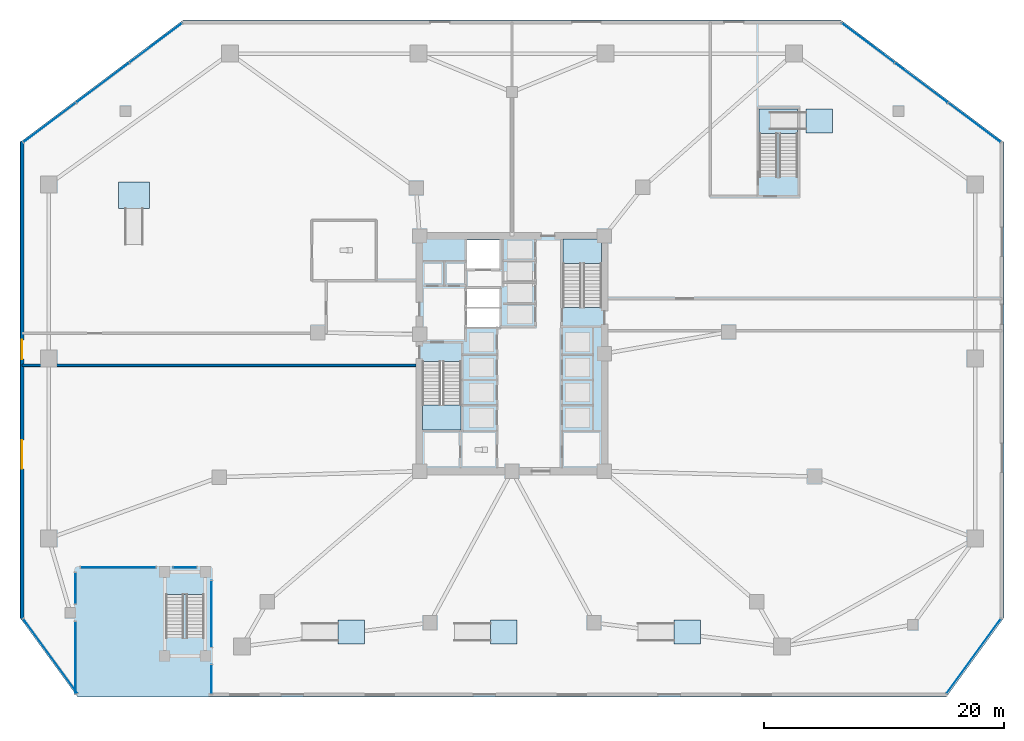
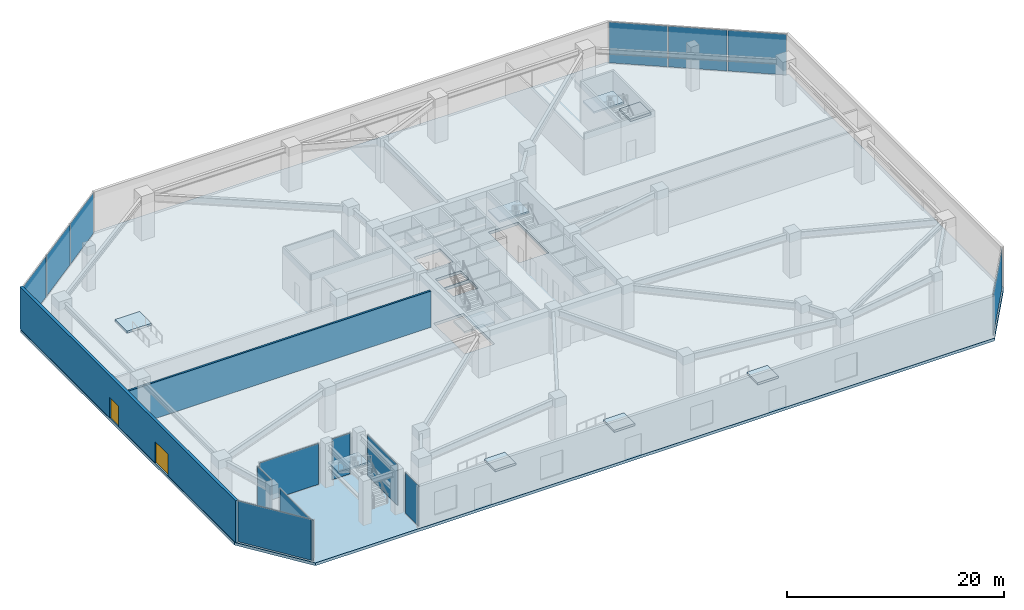
# One storey, part 8 of 22: 14 plates, 10 slabs, 2 doors, 2 walls, 2 openings, 14 elements without a shape of their own.
"""IFC4 building model written with IfcOpenShell, lengths in metres."""

from ifc_helpers import new_model, si_unit, direction, frame, frame_2d, origin, origin_2d, place, context, subcontext, project, spatial, polyline, rectangle, outline, extrude, material, layer, layer_set, type_object, element, fill, aggregate, save


model = new_model("IFC4")

# Units and contexts
model_context = context("Model", 3, precision=1e-05, world=origin(), true_north=direction((0.0, 1.0)))
body_context = subcontext(model_context, "Body", "Model", "MODEL_VIEW")
ifc_project = project(units=[si_unit("LENGTHUNIT", "METRE"), si_unit("AREAUNIT", "SQUARE_METRE"), si_unit("VOLUMEUNIT", "CUBIC_METRE"), si_unit("PLANEANGLEUNIT", "RADIAN"), si_unit("MASSUNIT", "GRAM", prefix="KILO")], contexts=[model_context])

# Site, building, storey
site_placement = place(None, origin())
site = spatial("IfcSite", under=ifc_project, at=site_placement, CompositionType="ELEMENT")
building_placement = place(site_placement, origin())
building = spatial("IfcBuilding", under=site, at=building_placement, Name="Savorim Split Tower", CompositionType="ELEMENT")
storey_placement = place(building_placement, origin())
storey = spatial("IfcBuildingStorey", under=building, at=storey_placement, Name="L00", CompositionType="ELEMENT", Elevation=0.0)

# Curtain wall, plate
ifc_material_1 = material(Name="Dark Ceramic-Fritted Insulated Glass", Category="glass")
curtain_wall_type = type_object("IfcCurtainWallType", Name="CW-POD-GLZ", PredefinedType="NOTDEFINED", material=ifc_material_1)
curtain_wall_1_placement = place(storey_placement, origin())
curtain_wall_1 = element("IfcCurtainWall", 1, at=curtain_wall_1_placement, inside=storey, type_object=curtain_wall_type, Name="L00 Curtain Wall CW-L00-E01S1", PredefinedType="NOTDEFINED")
ifc_material_2 = material(Name="Low-E Operable Double Glazing", Category="glass")
ifc_layer_1 = layer(ifc_material_2, 0.031982421875)
ifc_layer_set_1 = layer_set([ifc_layer_1], Name="CWP-POD-32")
plate_type = type_object("IfcPlateType", Name="CWP-POD-32", PredefinedType="CURTAIN_PANEL", material=ifc_layer_set_1)
plate_1_placement = place(storey_placement, frame((-36.360107421875, -24.945068359375, 0.06005859375), z_axis=(0.0, 0.0, 1.0), x_axis=(0.0, 1.0, 0.0)))
plate_1 = element("IfcPlate", 2, at=plate_1_placement, type_object=plate_type, Name="CW-01 panel 1.1", PredefinedType="CURTAIN_PANEL", context=body_context, shape_type="SweptSolid", body=[
    extrude(rectangle(XDim=6.010009765625, YDim=0.031982421875, at=origin_2d()), origin(), (0.0, 0.0, 1.0), 4.60009765625),
])
aggregate(curtain_wall_1, [plate_1])

curtain_wall_2_placement = place(storey_placement, origin())
curtain_wall_2 = element("IfcCurtainWall", 3, at=curtain_wall_2_placement, inside=storey, type_object=curtain_wall_type, Name="L00 Curtain Wall CW-L00-E01S2", PredefinedType="NOTDEFINED")
plate_2_placement = place(storey_placement, frame((-36.360107421875, -19.155029296875, 0.06005859375), z_axis=(0.0, 0.0, 1.0), x_axis=(0.0, 1.0, 0.0)))
plate_2 = element("IfcPlate", 4, at=plate_2_placement, type_object=plate_type, Name="CW-01 panel 1.1", PredefinedType="CURTAIN_PANEL", context=body_context, shape_type="SweptSolid", body=[
    extrude(rectangle(XDim=2.610107421875, YDim=0.031982421875, at=origin_2d()), origin(), (0.0, 0.0, 1.0), 4.60009765625),
])
aggregate(curtain_wall_2, [plate_2])

curtain_wall_3_placement = place(storey_placement, origin())
curtain_wall_3 = element("IfcCurtainWall", 5, at=curtain_wall_3_placement, inside=storey, type_object=curtain_wall_type, Name="L00 Curtain Wall CW-L00-E02S1", PredefinedType="NOTDEFINED")
plate_3_placement = place(storey_placement, frame((-32.820068359375, -17.43994140625, 0.06005859375), z_axis=(0.0, 0.0, 1.0), x_axis=(1.0, 0.0, 0.0)))
plate_3 = element("IfcPlate", 6, at=plate_3_placement, type_object=plate_type, Name="CW-01 panel 1.1", PredefinedType="CURTAIN_PANEL", context=body_context, shape_type="SweptSolid", body=[
    extrude(rectangle(XDim=6.260009765625, YDim=0.031982421875, at=origin_2d()), origin(), (0.0, 0.0, 1.0), 4.60009765625),
])
aggregate(curtain_wall_3, [plate_3])

curtain_wall_4_placement = place(storey_placement, origin())
curtain_wall_4 = element("IfcCurtainWall", 7, at=curtain_wall_4_placement, inside=storey, type_object=curtain_wall_type, Name="L00 Curtain Wall CW-L00-E02S2", PredefinedType="NOTDEFINED")
plate_4_placement = place(storey_placement, frame((-27.25, -17.43994140625, 0.06005859375), z_axis=(0.0, 0.0, 1.0), x_axis=(1.0, 0.0, 0.0)))
plate_4 = element("IfcPlate", 8, at=plate_4_placement, type_object=plate_type, Name="CW-01 panel 1.1", PredefinedType="CURTAIN_PANEL", context=body_context, shape_type="SweptSolid", body=[
    extrude(rectangle(XDim=1.919921875, YDim=0.031982421875, at=origin_2d()), origin(), (0.0, 0.0, 1.0), 4.60009765625),
])
aggregate(curtain_wall_4, [plate_4])

curtain_wall_5_placement = place(storey_placement, origin())
curtain_wall_5 = element("IfcCurtainWall", 9, at=curtain_wall_5_placement, inside=storey, type_object=curtain_wall_type, Name="L00 Curtain Wall CW-L00-E03S1", PredefinedType="NOTDEFINED")
plate_5_placement = place(storey_placement, frame((-25.0400390625, -21.300048828125, 0.06005859375), z_axis=(0.0, 0.0, 1.0), x_axis=(0.0, -1.0, 0.0)))
plate_5 = element("IfcPlate", 10, at=plate_5_placement, type_object=plate_type, Name="CW-01 panel 1.1", PredefinedType="CURTAIN_PANEL", context=body_context, shape_type="SweptSolid", body=[
    extrude(rectangle(XDim=5.52001953125, YDim=0.031982421875, at=origin_2d()), origin(), (0.0, 0.0, 1.0), 4.60009765625),
])
aggregate(curtain_wall_5, [plate_5])

curtain_wall_6_placement = place(storey_placement, origin())
curtain_wall_6 = element("IfcCurtainWall", 11, at=curtain_wall_6_placement, inside=storey, type_object=curtain_wall_type, Name="L00 Curtain Wall CW-L00-E03S2", PredefinedType="NOTDEFINED")
plate_6_placement = place(storey_placement, frame((-25.0400390625, -26.7451171875, 0.06005859375), z_axis=(0.0, 0.0, 1.0), x_axis=(0.0, -1.0, 0.0)))
plate_6 = element("IfcPlate", 12, at=plate_6_placement, type_object=plate_type, Name="CW-01 panel 1.1", PredefinedType="CURTAIN_PANEL", context=body_context, shape_type="SweptSolid", body=[
    extrude(rectangle(XDim=2.409912109375, YDim=0.031982421875, at=origin_2d()), origin(), (0.0, 0.0, 1.0), 4.60009765625),
])
aggregate(curtain_wall_6, [plate_6])

curtain_wall_7_placement = place(storey_placement, origin())
curtain_wall_7 = element("IfcCurtainWall", 13, at=curtain_wall_7_placement, inside=storey, type_object=curtain_wall_type, Name="L00 Curtain Wall CW-L00-E05", PredefinedType="NOTDEFINED")
plate_7_placement = place(storey_placement, frame((38.470703125, -24.805908203125, 0.06005859375), z_axis=(0.0, 0.0, 1.0), x_axis=(0.588170173227, 0.808737192991, 0.0)))
plate_7 = element("IfcPlate", 14, at=plate_7_placement, type_object=plate_type, Name="CW-01 panel 1.1", PredefinedType="CURTAIN_PANEL", context=body_context, shape_type="SweptSolid", body=[
    extrude(rectangle(XDim=7.660888671875, YDim=0.031982421875, at=origin_2d()), origin(), (0.0, 0.0, 1.0), 4.60009765625),
])
aggregate(curtain_wall_7, [plate_7])

# Curtain wall, plates
curtain_wall_8_placement = place(storey_placement, origin())
curtain_wall_8 = element("IfcCurtainWall", 15, at=curtain_wall_8_placement, inside=storey, type_object=curtain_wall_type, Name="L00 Curtain Wall CW-L00-E07", PredefinedType="NOTDEFINED")
plate_8_placement = place(storey_placement, frame((38.52734375, 19.654541015625, 0.06005859375), z_axis=(0.0, 0.0, 1.0), x_axis=(-0.799999999998, 0.600000000002, 0.0)))
plate_8 = element("IfcPlate", 16, at=plate_8_placement, type_object=plate_type, Name="CW-01 panel 1.1", PredefinedType="CURTAIN_PANEL", context=body_context, shape_type="SweptSolid", body=[
    extrude(rectangle(XDim=5.441650390625, YDim=0.031982421875, at=origin_2d()), origin(), (0.0, 0.0, 1.0), 4.60009765625),
])
plate_9_placement = place(storey_placement, frame((34.10400390625, 22.971923828125, 0.06005859375), z_axis=(0.0, 0.0, 1.0), x_axis=(-0.799999999998, 0.600000000002, 0.0)))
plate_9 = element("IfcPlate", 17, at=plate_9_placement, type_object=plate_type, Name="CW-01 panel 2.1", PredefinedType="CURTAIN_PANEL", context=body_context, shape_type="SweptSolid", body=[
    extrude(rectangle(XDim=5.4765625, YDim=0.031982421875, at=origin_2d()), origin(), (0.0, 0.0, 1.0), 4.60009765625),
])
plate_10_placement = place(storey_placement, frame((29.6806640625, 26.28955078125, 0.06005859375), z_axis=(0.0, 0.0, 1.0), x_axis=(-0.799999999998, 0.600000000002, 0.0)))
plate_10 = element("IfcPlate", 18, at=plate_10_placement, type_object=plate_type, Name="CW-01 panel 3.1", PredefinedType="CURTAIN_PANEL", context=body_context, shape_type="SweptSolid", body=[
    extrude(rectangle(XDim=5.441650390625, YDim=0.031982421875, at=origin_2d()), origin(), (0.0, 0.0, 1.0), 4.60009765625),
])
aggregate(curtain_wall_8, [plate_8, plate_9, plate_10])

curtain_wall_9_placement = place(storey_placement, origin())
curtain_wall_9 = element("IfcCurtainWall", 19, at=curtain_wall_9_placement, inside=storey, type_object=curtain_wall_type, Name="L00 Curtain Wall CW-L00-E09", PredefinedType="NOTDEFINED")
plate_11_placement = place(storey_placement, frame((-29.6806640625, 26.28955078125, 0.06005859375), z_axis=(0.0, 0.0, 1.0), x_axis=(-0.799999999998, -0.600000000002, 0.0)))
plate_11 = element("IfcPlate", 20, at=plate_11_placement, type_object=plate_type, Name="CW-01 panel 1.1", PredefinedType="CURTAIN_PANEL", context=body_context, shape_type="SweptSolid", body=[
    extrude(rectangle(XDim=5.441650390625, YDim=0.031982421875, at=origin_2d()), origin(), (0.0, 0.0, 1.0), 4.60009765625),
])
plate_12_placement = place(storey_placement, frame((-34.10400390625, 22.971923828125, 0.06005859375), z_axis=(0.0, 0.0, 1.0), x_axis=(-0.799999999998, -0.600000000002, 0.0)))
plate_12 = element("IfcPlate", 21, at=plate_12_placement, type_object=plate_type, Name="CW-01 panel 2.1", PredefinedType="CURTAIN_PANEL", context=body_context, shape_type="SweptSolid", body=[
    extrude(rectangle(XDim=5.4765625, YDim=0.031982421875, at=origin_2d()), origin(), (0.0, 0.0, 1.0), 4.60009765625),
])
plate_13_placement = place(storey_placement, frame((-38.52734375, 19.654541015625, 0.06005859375), z_axis=(0.0, 0.0, 1.0), x_axis=(-0.799999999998, -0.600000000002, 0.0)))
plate_13 = element("IfcPlate", 22, at=plate_13_placement, type_object=plate_type, Name="CW-01 panel 3.1", PredefinedType="CURTAIN_PANEL", context=body_context, shape_type="SweptSolid", body=[
    extrude(rectangle(XDim=5.441650390625, YDim=0.031982421875, at=origin_2d()), origin(), (0.0, 0.0, 1.0), 4.60009765625),
])
aggregate(curtain_wall_9, [plate_11, plate_12, plate_13])

# Curtain wall, plate
curtain_wall_10_placement = place(storey_placement, origin())
curtain_wall_10 = element("IfcCurtainWall", 23, at=curtain_wall_10_placement, inside=storey, type_object=curtain_wall_type, Name="L00 Curtain Wall CW-L00-E11", PredefinedType="NOTDEFINED")
plate_14_placement = place(storey_placement, frame((-38.470703125, -24.805908203125, 0.06005859375), z_axis=(0.0, 0.0, 1.0), x_axis=(0.588170173227, -0.808737192991, 0.0)))
plate_14 = element("IfcPlate", 24, at=plate_14_placement, type_object=plate_type, Name="CW-01 panel 1.1", PredefinedType="CURTAIN_PANEL", context=body_context, shape_type="SweptSolid", body=[
    extrude(rectangle(XDim=7.660888671875, YDim=0.031982421875, at=origin_2d()), origin(), (0.0, 0.0, 1.0), 4.60009765625),
])
aggregate(curtain_wall_10, [plate_14])

# Stair, slab
ifc_material_3 = material(Name="Concrete C50/60", Category="concrete")
stair_type = type_object("IfcStairType", Name="STR-DOG-5000", PredefinedType="HALF_TURN_STAIR", material=ifc_material_3)
stair_1_placement = place(storey_placement, origin())
stair_1 = element("IfcStair", 25, at=stair_1_placement, inside=storey, type_object=stair_type, Name="L00 Core Protected Exit Stair ST-1", PredefinedType="HALF_TURN_STAIR")
ifc_layer_2 = layer(ifc_material_3, 0.199951171875)
ifc_layer_set_2 = layer_set([ifc_layer_2], Name="SLB-LND-200")
slab_type_1 = type_object("IfcSlabType", Name="SLB-LND-200", PredefinedType="LANDING", material=ifc_layer_set_2)
slab_1_placement = place(storey_placement, frame((0.0, 0.0, 2.300048828125)))
slab_1 = element("IfcSlab", 26, at=slab_1_placement, type_object=slab_type_1, Name="ST-1 landing 1", PredefinedType="LANDING", context=body_context, shape_type="SweptSolid", body=[
    extrude(outline(polyline([(-7.449951171875, -3.889892578125), (-7.449951171875, -5.949951171875), (-4.25, -5.949951171875), (-4.25, -3.889892578125), (-7.449951171875, -3.889892578125)])), origin(), (0.0, 0.0, 1.0), 0.199951171875),
])
aggregate(stair_1, [slab_1])

stair_2_placement = place(storey_placement, origin())
stair_2 = element("IfcStair", 27, at=stair_2_placement, inside=storey, type_object=stair_type, Name="L00 Core Protected Exit Stair ST-2", PredefinedType="HALF_TURN_STAIR")
slab_2_placement = place(storey_placement, frame((0.0, 0.0, 2.300048828125)))
slab_2 = element("IfcSlab", 28, at=slab_2_placement, type_object=slab_type_1, Name="ST-2 landing 1", PredefinedType="LANDING", context=body_context, shape_type="SweptSolid", body=[
    extrude(outline(polyline([(7.449951171875, 7.889892578125), (7.449951171875, 9.949951171875), (4.25, 9.949951171875), (4.25, 7.889892578125), (7.449951171875, 7.889892578125)])), origin(), (0.0, 0.0, 1.0), 0.199951171875),
])
aggregate(stair_2, [slab_2])

stair_3_placement = place(storey_placement, origin())
stair_3 = element("IfcStair", 29, at=stair_3_placement, inside=storey, type_object=stair_type, Name="L00 Podium Protected Garden Exit Stair ST-3", PredefinedType="HALF_TURN_STAIR")
slab_3_placement = place(storey_placement, frame((0.0, 0.0, 2.300048828125)))
slab_3 = element("IfcSlab", 30, at=slab_3_placement, type_object=slab_type_1, Name="ST-3 landing 1", PredefinedType="LANDING", context=body_context, shape_type="SweptSolid", body=[
    extrude(outline(polyline([(23.800048828125, 18.739990234375), (23.800048828125, 20.800048828125), (20.60009765625, 20.800048828125), (20.60009765625, 18.739990234375), (23.800048828125, 18.739990234375)])), origin(), (0.0, 0.0, 1.0), 0.199951171875),
])
aggregate(stair_3, [slab_3])

stair_4_placement = place(storey_placement, origin())
stair_4 = element("IfcStair", 31, at=stair_4_placement, inside=storey, type_object=stair_type, Name="L00 Exterior Stepped Public Garden Stair ST-GDN", PredefinedType="HALF_TURN_STAIR")
slab_4_placement = place(storey_placement, frame((0.0, 0.0, 2.300048828125)))
slab_4 = element("IfcSlab", 32, at=slab_4_placement, type_object=slab_type_1, Name="ST-GDN landing 1", PredefinedType="LANDING", context=body_context, shape_type="SweptSolid", body=[
    extrude(outline(polyline([(-25.64990234375, -19.659912109375), (-25.64990234375, -17.800048828125), (-28.85009765625, -17.800048828125), (-28.85009765625, -19.659912109375), (-25.64990234375, -19.659912109375)])), origin(), (0.0, 0.0, 1.0), 0.199951171875),
])
aggregate(stair_4, [slab_4])

# Slabs
ifc_layer_3 = layer(ifc_material_3, 0.280029296875)
ifc_layer_set_3 = layer_set([ifc_layer_3], Name="SLB-POD-280")
slab_type_2 = type_object("IfcSlabType", Name="SLB-POD-280", PredefinedType="FLOOR", material=ifc_layer_set_3)
slab_5_placement = place(storey_placement, origin())
element("IfcSlab", 33, at=slab_5_placement, inside=storey, type_object=slab_type_2, Name="L00 South West Colonnade Arrival Ramp Arrival Plinth Slab", PredefinedType="FLOOR", context=body_context, shape_type="SweptSolid", body=[
    extrude(outline(polyline([(-14.5, -23.800048828125), (-12.300048828125, -23.800048828125), (-12.300048828125, -21.800048828125), (-14.5, -21.800048828125), (-14.5, -23.800048828125)])), origin(), (0.0, 0.0, 1.0), 0.239990234375),
])
slab_6_placement = place(storey_placement, origin())
element("IfcSlab", 34, at=slab_6_placement, inside=storey, type_object=slab_type_2, Name="L00 Main Entrance Colonnade Arrival Ramp Arrival Plinth Slab", PredefinedType="FLOOR", context=body_context, shape_type="SweptSolid", body=[
    extrude(outline(polyline([(-1.800048828125, -23.800048828125), (0.39990234375, -23.800048828125), (0.39990234375, -21.800048828125), (-1.800048828125, -21.800048828125), (-1.800048828125, -23.800048828125)])), origin(), (0.0, 0.0, 1.0), 0.239990234375),
])
slab_7_placement = place(storey_placement, origin())
element("IfcSlab", 35, at=slab_7_placement, inside=storey, type_object=slab_type_2, Name="L00 Concourse East Arrival Ramp Arrival Plinth Slab", PredefinedType="FLOOR", context=body_context, shape_type="SweptSolid", body=[
    extrude(outline(polyline([(13.5, -23.800048828125), (15.699951171875, -23.800048828125), (15.699951171875, -21.800048828125), (13.5, -21.800048828125), (13.5, -23.800048828125)])), origin(), (0.0, 0.0, 1.0), 0.239990234375),
])
slab_8_placement = place(storey_placement, origin())
element("IfcSlab", 36, at=slab_8_placement, inside=storey, type_object=slab_type_2, Name="L00 West Bicycle Vestibule Ramp Arrival Plinth Slab", PredefinedType="FLOOR", context=body_context, shape_type="SweptSolid", body=[
    extrude(outline(polyline([(-32.800048828125, 12.5), (-30.199951171875, 12.5), (-30.199951171875, 14.699951171875), (-32.800048828125, 14.699951171875), (-32.800048828125, 12.5)])), origin(), (0.0, 0.0, 1.0), 0.239990234375),
])
slab_9_placement = place(storey_placement, origin())
element("IfcSlab", 37, at=slab_9_placement, inside=storey, type_object=slab_type_2, Name="L00 North-East Plaza Threshold Ramp Arrival Plinth Slab", PredefinedType="FLOOR", context=body_context, shape_type="SweptSolid", body=[
    extrude(outline(polyline([(24.5, 18.800048828125), (26.699951171875, 18.800048828125), (26.699951171875, 20.800048828125), (24.5, 20.800048828125), (24.5, 18.800048828125)])), origin(), (0.0, 0.0, 1.0), 0.239990234375),
])
ifc_layer_4 = layer(ifc_material_3, 0.320068359375)
ifc_layer_set_4 = layer_set([ifc_layer_4], Name="SLB-POD-320")
slab_type_3 = type_object("IfcSlabType", Name="SLB-POD-320", PredefinedType="FLOOR", material=ifc_layer_set_4)
slab_10_placement = place(storey_placement, frame((0.0, 0.0, -0.320068359375)))
element("IfcSlab", 38, at=slab_10_placement, inside=storey, type_object=slab_type_3, Name="L00 Podium Ground Structural Floor Slab", PredefinedType="FLOOR", context=body_context, shape_type="SweptSolid", body=[
    extrude(outline(polyline([(-36.199951171875, -28.199951171875), (36.199951171875, -28.199951171875), (41.0, -21.60009765625), (41.0, 18.0), (27.39990234375, 28.199951171875), (-27.39990234375, 28.199951171875), (-41.0, 18.0), (-41.0, -21.60009765625), (-36.199951171875, -28.199951171875)]), holes=[polyline([(-7.449951171875, -0.25390625), (-7.449951171875, -5.949951171875), (-4.25, -5.949951171875), (-4.25, -0.25390625), (-7.449951171875, -0.25390625)]), polyline([(7.449951171875, 4.25390625), (7.449951171875, 9.949951171875), (4.25, 9.949951171875), (4.25, 4.25390625), (7.449951171875, 4.25390625)]), polyline([(-3.75, 2.60009765625), (-1.050048828125, 2.60009765625), (-1.050048828125, 4.159912109375), (-3.75, 4.159912109375), (-3.75, 2.60009765625)]), polyline([(-3.75, 4.280029296875), (-1.050048828125, 4.280029296875), (-1.050048828125, 5.840087890625), (-3.75, 5.840087890625), (-3.75, 4.280029296875)]), polyline([(-3.75, 7.449951171875), (-0.949951171875, 7.449951171875), (-0.949951171875, 9.85009765625), (-3.75, 9.85009765625), (-3.75, 7.449951171875)])]), origin(), (0.0, 0.0, 1.0), 0.320068359375),
])

# Wall, openings, doors
ifc_layer_5 = layer(ifc_material_3, 0.300048828125)
ifc_layer_set_5 = layer_set([ifc_layer_5], Name="WAL-EXT-POD300")
wall_type_1 = type_object("IfcWallType", Name="WAL-EXT-POD300", PredefinedType="SOLIDWALL", material=ifc_layer_set_5)
wall_1_placement = place(storey_placement, frame((-40.820068359375, -21.699951171875, 0.0), z_axis=(0.0, 0.0, 1.0), x_axis=(0.0, 1.0, 0.0)))
wall_1 = element("IfcWall", 39, at=wall_1_placement, inside=storey, type_object=wall_type_1, Name="L00 Exterior Podium Wall W", PredefinedType="SOLIDWALL", context=body_context, shape_type="SweptSolid", body=[
    extrude(rectangle(XDim=39.800048828125, YDim=0.300048828125, at=frame_2d((19.89990234375, 0.0))), origin(), (0.0, 0.0, 1.0), 4.719970703125),
])
opening_1_placement = place(wall_1_placement, frame((21.64990234375, 0.0, 0.0)))
opening_1 = element("IfcOpeningElement", 40, at=opening_1_placement, cuts=wall_1, Name="Opening DE-02", PredefinedType="OPENING", context=body_context, shape_type="SweptSolid", body=[
    extrude(rectangle(XDim=1.60009765625, YDim=2.300048828125, at=frame_2d((0.800048828125, 1.14990234375))), frame((0.0, 0.159912109375, 0.0), z_axis=(0.0, -1.0, 0.0), x_axis=(1.0, 0.0, 0.0)), (0.0, 0.0, 1.0), 0.320068359375),
])
opening_2_placement = place(wall_1_placement, frame((12.5, 0.0, 0.0)))
opening_2 = element("IfcOpeningElement", 41, at=opening_2_placement, cuts=wall_1, Name="Opening GT-01", PredefinedType="OPENING", context=body_context, shape_type="SweptSolid", body=[
    extrude(rectangle(XDim=2.39990234375, YDim=2.39990234375, at=frame_2d((1.199951171875, 1.199951171875))), frame((0.0, 0.159912109375, 0.0), z_axis=(0.0, -1.0, 0.0), x_axis=(1.0, 0.0, 0.0)), (0.0, 0.0, 1.0), 0.320068359375),
])
ifc_material_4 = material(Name="Charcoal Anodised Aluminium", Category="aluminium")
door_type_1 = type_object("IfcDoorType", Name="DOR-EXT-1600", OperationType="NOTDEFINED", PredefinedType="DOOR", material=ifc_material_4)
door_1_placement = place(opening_1_placement, origin())
door_1 = element("IfcDoor", 42, at=door_1_placement, inside=storey, type_object=door_type_1, Name="DOR-L00-ST1EX1 - L00 Exit Passage West Final Exit Door", OperationType="SINGLE_SWING_LEFT", OverallHeight=2.300048828125, OverallWidth=1.60009765625, PredefinedType="DOOR", context=body_context, shape_type="SweptSolid", body=[
    extrude(rectangle(XDim=1.60009765625, YDim=2.300048828125, at=frame_2d((0.800048828125, 1.14990234375))), frame((0.0, 0.02490234375, 0.0), z_axis=(0.0, -1.0, 0.0), x_axis=(1.0, 0.0, 0.0)), (0.0, 0.0, 1.0), 0.050048828125),
])
fill(opening_1, door_1)
door_type_2 = type_object("IfcDoorType", Name="DOR-GAT-2400", OperationType="NOTDEFINED", PredefinedType="GATE", material=ifc_material_4)
door_2_placement = place(opening_2_placement, origin())
door_2 = element("IfcDoor", 43, at=door_2_placement, inside=storey, type_object=door_type_2, Name="DOR-L00-BGAT1 - L00 West Bicycle Hub Gate 1", OperationType="DOUBLE_DOOR_SINGLE_SWING", OverallHeight=2.39990234375, OverallWidth=2.39990234375, PredefinedType="GATE", context=body_context, shape_type="SweptSolid", body=[
    extrude(rectangle(XDim=2.39990234375, YDim=2.39990234375, at=frame_2d((1.199951171875, 1.199951171875))), frame((0.0, 0.02490234375, 0.0), z_axis=(0.0, -1.0, 0.0), x_axis=(1.0, 0.0, 0.0)), (0.0, 0.0, 1.0), 0.050048828125),
])
fill(opening_2, door_2)

# Wall
ifc_layer_6 = layer(ifc_material_3, 0.199951171875)
ifc_layer_set_6 = layer_set([ifc_layer_6], Name="WAL-INT-RC200")
wall_type_2 = type_object("IfcWallType", Name="WAL-INT-RC200", PredefinedType="SOLIDWALL", material=ifc_layer_set_6)
wall_2_placement = place(storey_placement, frame((-40.820068359375, -0.580078125, 0.0), z_axis=(0.0, 0.0, 1.0), x_axis=(1.0, 0.0, 0.0)))
element("IfcWall", 44, at=wall_2_placement, inside=storey, type_object=wall_type_2, Name="L00 Partition W-L00-EPW1", PredefinedType="SOLIDWALL", context=body_context, shape_type="SweptSolid", body=[
    extrude(rectangle(XDim=32.820068359375, YDim=0.199951171875, at=frame_2d((16.41015625, 0.0))), origin(), (0.0, 0.0, 1.0), 4.10498046875),
])

save(model, "model.ifc")
